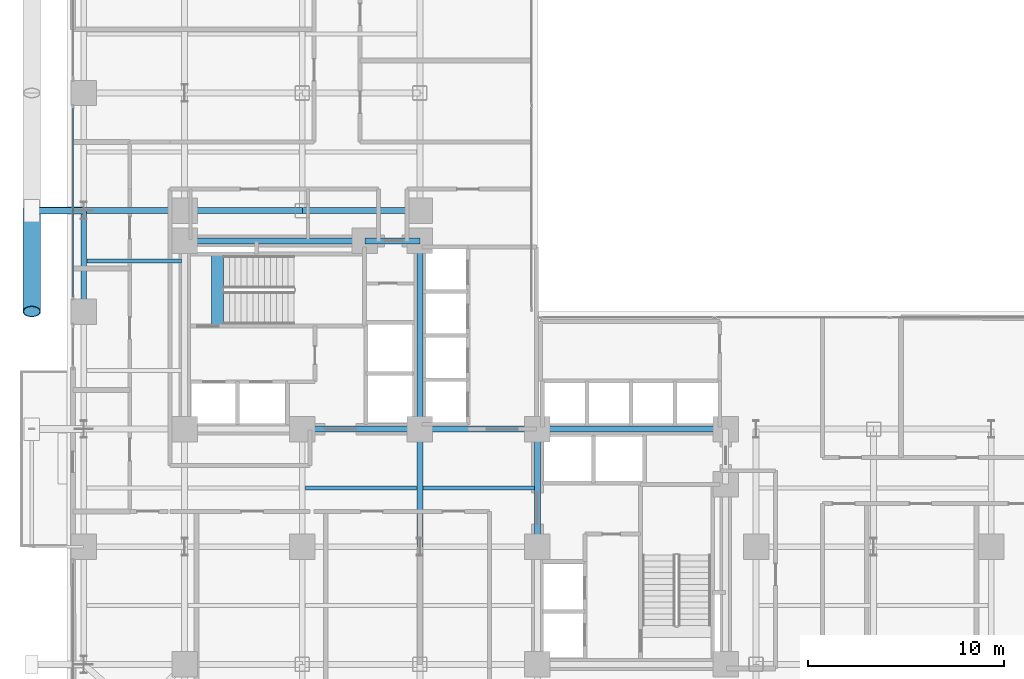
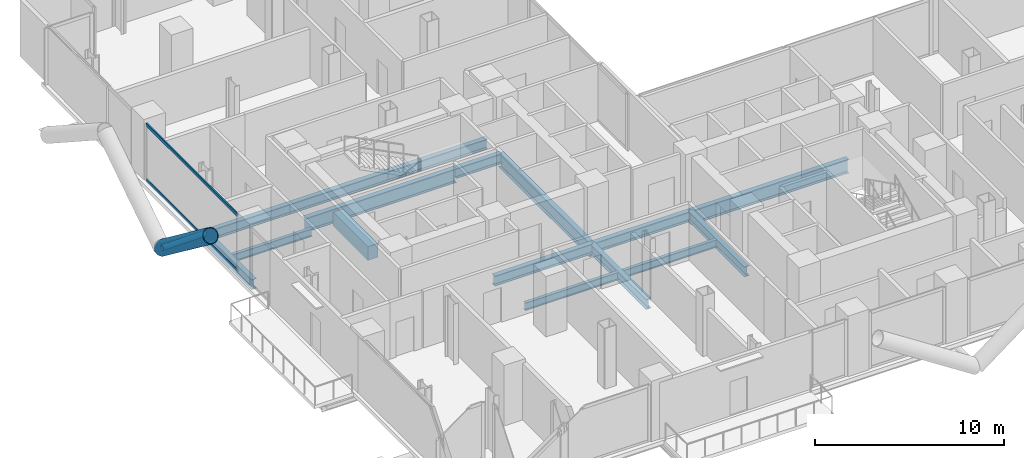
# One storey, part 6 of 25: 16 beams, 4 members, 1 element without a shape of its own.
"""IFC4 building model written with IfcOpenShell, lengths in metres."""

from ifc_helpers import new_model, si_unit, direction, frame, origin, origin_2d, place, context, subcontext, project, spatial, rectangle, hollow_rectangle, hollow_circle, i_section, extrude, material, layer, layer_set, material_profile, profile_set, type_object, element, aggregate, save


model = new_model("IFC4")

# Units and contexts
model_context = context("Model", 3, precision=1e-05, world=origin(), true_north=direction((0.0, 1.0)))
body_context = subcontext(model_context, "Body", "Model", "MODEL_VIEW")
ifc_project = project(units=[si_unit("LENGTHUNIT", "METRE"), si_unit("AREAUNIT", "SQUARE_METRE"), si_unit("VOLUMEUNIT", "CUBIC_METRE"), si_unit("PLANEANGLEUNIT", "RADIAN"), si_unit("MASSUNIT", "GRAM", prefix="KILO"), si_unit("THERMODYNAMICTEMPERATUREUNIT", "KELVIN"), si_unit("POWERUNIT", "WATT")], contexts=[model_context])

# Site, building, storey
site_placement = place(None, origin())
site = spatial("IfcSite", under=ifc_project, at=site_placement, CompositionType="ELEMENT")
building_placement = place(site_placement, origin())
building = spatial("IfcBuilding", under=site, at=building_placement, Name="Svarakhadi Broadcast Tower", CompositionType="ELEMENT")
storey_placement = place(building_placement, frame((0.0, 0.0, 79.199951171875)))
storey = spatial("IfcBuildingStorey", under=building, at=storey_placement, Name="L18", CompositionType="ELEMENT", Elevation=79.199951171875)

# Beams
ifc_material_1 = material(Name="Steel S355J2 (IS 2062 E350C)", Category="steel")
ifc_material_profile_1 = material_profile(ifc_material_1, i_section(OverallWidth=0.199951171875, OverallDepth=0.5, WebThickness=0.01025390625, FlangeThickness=0.01611328125, FilletRadius=0.02099609375, at=origin_2d()), Name="NPB 500x200x91")
ifc_profile_set_1 = profile_set([ifc_material_profile_1], Name="Steel S355J2 (IS 2062 E350C)")
beam_type_1 = type_object("IfcBeamType", Name="Beam_NPB500", PredefinedType="BEAM", material=ifc_profile_set_1)
beam_1_placement = place(storey_placement, frame((1.010009765625, 26.574951171875, -0.5), z_axis=(1.0, 0.0, 0.0), x_axis=(0.0, 1.0, 0.0)))
element("IfcBeam", 1, at=beam_1_placement, inside=storey, type_object=beam_type_1, Name="L18 Secondary Composite Beam SB004", PredefinedType="BEAM", context=body_context, shape_type="SweptSolid", body=[
    extrude(i_section(OverallWidth=0.199951171875, OverallDepth=0.5, WebThickness=0.01025390625, FlangeThickness=0.01611328125, FilletRadius=0.02099609375, at=origin_2d()), origin(), (0.0, 0.0, 1.0), 4.830078125),
])
for number, where, z_axis, x_axis, name in (
    (2, (12.159912109375, 15.0, -0.5), (1.0, 0.0, 0.0), (0.0, 1.0, 0.0), "L18 Secondary Composite Beam SB015"),
    (3, (18.159912109375, 15.0, -0.5), (1.0, 0.0, 0.0), (0.0, 1.0, 0.0), "L18 Secondary Composite Beam SB021"),
):
    element("IfcBeam", number, at=place(storey_placement, frame(where, z_axis=z_axis, x_axis=x_axis)), inside=storey, type_object=beam_type_1, Name=name, PredefinedType="BEAM", context=body_context, shape_type="SweptSolid", body=[
        extrude(i_section(OverallWidth=0.199951171875, OverallDepth=0.5, WebThickness=0.01025390625, FlangeThickness=0.01611328125, FilletRadius=0.02099609375, at=origin_2d()), origin(), (0.0, 0.0, 1.0), 5.68017578125),
    ])

# Curtain wall, members
ifc_material_2 = material(Name="Anodised Bronze Aluminium AA 6063-T6", Category="aluminium")
ifc_layer = layer(ifc_material_2, 0.219970703125)
ifc_layer_set = layer_set([ifc_layer], Name="Anodised Bronze Aluminium AA 6063-T6")
curtain_wall_type = type_object("IfcCurtainWallType", Name="CW_Sys_02", PredefinedType="NOTDEFINED", material=ifc_layer_set)
curtain_wall_placement = place(storey_placement, origin())
curtain_wall = element("IfcCurtainWall", 4, at=curtain_wall_placement, inside=storey, type_object=curtain_wall_type, Name="L18 West Curtain Wall 03 Bay 2", PredefinedType="NOTDEFINED")
ifc_material_profile_2 = material_profile(ifc_material_2, hollow_rectangle(XDim=0.074951171875, YDim=0.199951171875, WallThickness=0.0048828125, at=origin_2d()), Name="ALU TRANSOM 200x75x5")
ifc_profile_set_2 = profile_set([ifc_material_profile_2], Name="Anodised Bronze Aluminium AA 6063-T6")
member_type_1 = type_object("IfcMemberType", Name="CW_Sys_02_Trn", PredefinedType="USERDEFINED", material=ifc_profile_set_2)
member_1_placement = place(storey_placement, frame((0.300048828125, 24.7548828125, 0.03759765625), z_axis=(0.0, 1.0, 0.0), x_axis=(-1.0, 0.0, 0.0)))
member_1 = element("IfcMember", 5, at=member_1_placement, type_object=member_type_1, Name="CW-02 transom 1.1", ObjectType="TRANSOM", PredefinedType="USERDEFINED", context=body_context, shape_type="SweptSolid", body=[
    extrude(hollow_rectangle(XDim=0.074951171875, YDim=0.199951171875, WallThickness=0.0048828125, at=origin_2d()), origin(), (0.0, 0.0, 1.0), 9.64013671875),
])
member_2_placement = place(storey_placement, frame((0.300048828125, 24.7548828125, 3.612548828125), z_axis=(0.0, 1.0, 0.0), x_axis=(-1.0, 0.0, 0.0)))
member_2 = element("IfcMember", 6, at=member_2_placement, type_object=member_type_1, Name="CW-02 transom 1.2", ObjectType="TRANSOM", PredefinedType="USERDEFINED", context=body_context, shape_type="SweptSolid", body=[
    extrude(hollow_rectangle(XDim=0.074951171875, YDim=0.199951171875, WallThickness=0.0048828125, at=origin_2d()), origin(), (0.0, 0.0, 1.0), 9.64013671875),
])
aggregate(curtain_wall, [member_1, member_2])

# Beam
ifc_material_3 = material(Name="Concrete C50/60 (IS 456 M60)", Category="concrete")
ifc_material_profile_3 = material_profile(ifc_material_3, rectangle(XDim=0.60009765625, YDim=0.89990234375, at=origin_2d()), Name="RC 600x900")
ifc_profile_set_3 = profile_set([ifc_material_profile_3], Name="Concrete C50/60 (IS 456 M60)")
beam_type_2 = type_object("IfcBeamType", Name="Coupling_RC600", PredefinedType="USERDEFINED", material=ifc_profile_set_3)
beam_2_placement = place(storey_placement, frame((7.679931640625, 23.260009765625, -0.449951171875), z_axis=(0.0, 1.0, 0.0), x_axis=(-1.0, 0.0, 0.0)))
element("IfcBeam", 7, at=beam_2_placement, inside=storey, type_object=beam_type_2, Name="L18 Stair ST-01 Landing Throat Trimmer Beam CB-01", ObjectType="GIRDER", PredefinedType="USERDEFINED", context=body_context, shape_type="SweptSolid", body=[
    extrude(rectangle(XDim=0.60009765625, YDim=0.89990234375, at=origin_2d()), origin(), (0.0, 0.0, 1.0), 3.679931640625),
])

# Members
ifc_material_4 = material(Name="Steel S460ML (IS 2062 E450BR)", Category="steel")
ifc_material_profile_4 = material_profile(ifc_material_4, hollow_circle(Radius=0.45703125, WallThickness=0.044921875, at=origin_2d()), Name="CHS 914x45")
ifc_profile_set_4 = profile_set([ifc_material_profile_4], Name="Steel S460ML (IS 2062 E450BR)")
member_type_2 = type_object("IfcMemberType", Name="Exo_Brace_CHS914", PredefinedType="BRACE", material=ifc_profile_set_4)
member_3_placement = place(storey_placement, frame((-1.800048828125, 29.14990234375, -0.427734375), z_axis=(0.0, -0.797206791841, 0.603706328476), x_axis=(1.0, 0.0, 0.0)))
element("IfcMember", 8, at=member_3_placement, inside=storey, type_object=member_type_2, Name="L18 Exposed Bronze Exoskeleton Diagonal W05", PredefinedType="BRACE", context=body_context, shape_type="SweptSolid", body=[
    extrude(hollow_circle(Radius=0.45703125, WallThickness=0.044921875, at=origin_2d()), origin(), (0.0, 0.0, 1.0), 6.4599609375),
])
ifc_material_profile_5 = material_profile(ifc_material_4, hollow_circle(Radius=0.177734375, WallThickness=0.02001953125, at=origin_2d()), Name="CHS 355.6x20")
ifc_profile_set_5 = profile_set([ifc_material_profile_5], Name="Steel S460ML (IS 2062 E450BR)")
member_type_3 = type_object("IfcMemberType", Name="Exo_Radial_Strut_Z1", PredefinedType="STRUT", material=ifc_profile_set_5)
member_4_placement = place(storey_placement, frame((-1.800048828125, 29.14990234375, -0.427734375), z_axis=(1.0, 0.0, 0.0), x_axis=(0.0, 1.0, 0.0)))
element("IfcMember", 9, at=member_4_placement, inside=storey, type_object=member_type_3, Name="L18 Exoskeleton Radial Tie Strut W07", PredefinedType="STRUT", context=body_context, shape_type="SweptSolid", body=[
    extrude(hollow_circle(Radius=0.177734375, WallThickness=0.02001953125, at=origin_2d()), origin(), (0.0, 0.0, 1.0), 2.650146484375),
])

# Beams
ifc_material_profile_6 = material_profile(ifc_material_1, i_section(OverallWidth=0.300048828125, OverallDepth=0.64990234375, WebThickness=0.01611328125, FlangeThickness=0.031005859375, FilletRadius=0.027099609375, at=origin_2d()), Name="WPB 650x300x225")
ifc_profile_set_6 = profile_set([ifc_material_profile_6], Name="Steel S355J2 (IS 2062 E350C)")
beam_type_3 = type_object("IfcBeamType", Name="Girder_WPB650", PredefinedType="USERDEFINED", material=ifc_profile_set_6)
for number, where, z_axis, x_axis, name in (
    (10, (12.0, 18.0, -0.574951171875), (1.0, 0.0, 0.0), (0.0, 1.0, 0.0), "L18 Primary E-W Girder G027"),
    (11, (18.0, 18.0, -0.574951171875), (1.0, 0.0, 0.0), (0.0, 1.0, 0.0), "L18 Primary E-W Girder G028"),
):
    element("IfcBeam", number, at=place(storey_placement, frame(where, z_axis=z_axis, x_axis=x_axis)), inside=storey, type_object=beam_type_3, Name=name, ObjectType="GIRDER", PredefinedType="USERDEFINED", context=body_context, shape_type="SweptSolid", body=[
        extrude(i_section(OverallWidth=0.300048828125, OverallDepth=0.64990234375, WebThickness=0.01611328125, FlangeThickness=0.031005859375, FilletRadius=0.027099609375, at=origin_2d()), origin(), (0.0, 0.0, 1.0), 6.0),
    ])
beam_3_placement = place(storey_placement, frame((15.199951171875, 27.60009765625, -0.574951171875), z_axis=(1.0, 0.0, 0.0), x_axis=(0.0, 1.0, 0.0)))
element("IfcBeam", 12, at=beam_3_placement, inside=storey, type_object=beam_type_3, Name="L18 Primary E-W Girder G033", ObjectType="GIRDER", PredefinedType="USERDEFINED", context=body_context, shape_type="SweptSolid", body=[
    extrude(i_section(OverallWidth=0.300048828125, OverallDepth=0.64990234375, WebThickness=0.01611328125, FlangeThickness=0.031005859375, FilletRadius=0.027099609375, at=origin_2d()), origin(), (0.0, 0.0, 1.0), 2.800048828125),
])
beam_4_placement = place(storey_placement, frame((0.85009765625, 29.14990234375, -0.574951171875), z_axis=(1.0, 0.0, 0.0), x_axis=(0.0, 1.0, 0.0)))
element("IfcBeam", 13, at=beam_4_placement, inside=storey, type_object=beam_type_3, Name="L18 Primary E-W Girder G034", ObjectType="GIRDER", PredefinedType="USERDEFINED", context=body_context, shape_type="SweptSolid", body=[
    extrude(i_section(OverallWidth=0.300048828125, OverallDepth=0.64990234375, WebThickness=0.01611328125, FlangeThickness=0.031005859375, FilletRadius=0.027099609375, at=origin_2d()), origin(), (0.0, 0.0, 1.0), 5.14990234375),
])
for number, where, z_axis, x_axis, name in (
    (14, (6.0, 29.14990234375, -0.574951171875), (1.0, 0.0, 0.0), (0.0, 1.0, 0.0), "L18 Primary E-W Girder G035"),
    (15, (12.0, 29.14990234375, -0.574951171875), (1.0, 0.0, 0.0), (0.0, 1.0, 0.0), "L18 Primary E-W Girder G036"),
):
    element("IfcBeam", number, at=place(storey_placement, frame(where, z_axis=z_axis, x_axis=x_axis)), inside=storey, type_object=beam_type_3, Name=name, ObjectType="GIRDER", PredefinedType="USERDEFINED", context=body_context, shape_type="SweptSolid", body=[
        extrude(i_section(OverallWidth=0.300048828125, OverallDepth=0.64990234375, WebThickness=0.01611328125, FlangeThickness=0.031005859375, FilletRadius=0.027099609375, at=origin_2d()), origin(), (0.0, 0.0, 1.0), 6.0),
    ])
beam_5_placement = place(storey_placement, frame((0.85009765625, 24.0, -0.574951171875), z_axis=(0.0, 1.0, 0.0), x_axis=(-1.0, 0.0, 0.0)))
element("IfcBeam", 16, at=beam_5_placement, inside=storey, type_object=beam_type_3, Name="L18 Primary N-S Girder G048", ObjectType="GIRDER", PredefinedType="USERDEFINED", context=body_context, shape_type="SweptSolid", body=[
    extrude(i_section(OverallWidth=0.300048828125, OverallDepth=0.64990234375, WebThickness=0.01611328125, FlangeThickness=0.031005859375, FilletRadius=0.027099609375, at=origin_2d()), origin(), (0.0, 0.0, 1.0), 5.14990234375),
])
for number, where, z_axis, x_axis, name in (
    (17, (18.0, 12.0, -0.574951171875), (0.0, 1.0, 0.0), (-1.0, 0.0, 0.0), "L18 Primary N-S Girder G066"),
    (18, (24.0, 12.0, -0.574951171875), (0.0, 1.0, 0.0), (-1.0, 0.0, 0.0), "L18 Primary N-S Girder G073"),
):
    element("IfcBeam", number, at=place(storey_placement, frame(where, z_axis=z_axis, x_axis=x_axis)), inside=storey, type_object=beam_type_3, Name=name, ObjectType="GIRDER", PredefinedType="USERDEFINED", context=body_context, shape_type="SweptSolid", body=[
        extrude(i_section(OverallWidth=0.300048828125, OverallDepth=0.64990234375, WebThickness=0.01611328125, FlangeThickness=0.031005859375, FilletRadius=0.027099609375, at=origin_2d()), origin(), (0.0, 0.0, 1.0), 6.0),
    ])
ifc_material_profile_7 = material_profile(ifc_material_4, i_section(OverallWidth=0.300048828125, OverallDepth=0.89990234375, WebThickness=0.0185546875, FlangeThickness=0.034912109375, FilletRadius=0.030029296875, at=origin_2d()), Name="WPB 900x300x291")
ifc_profile_set_7 = profile_set([ifc_material_profile_7], Name="Steel S460ML (IS 2062 E450BR)")
beam_type_4 = type_object("IfcBeamType", Name="Girder_WPB900", PredefinedType="USERDEFINED", material=ifc_profile_set_7)
beam_6_placement = place(storey_placement, frame((24.0, 18.0, -0.699951171875), z_axis=(1.0, 0.0, 0.0), x_axis=(0.0, 1.0, 0.0)))
element("IfcBeam", 19, at=beam_6_placement, inside=storey, type_object=beam_type_4, Name="L18 Primary E-W Girder G029", ObjectType="GIRDER", PredefinedType="USERDEFINED", context=body_context, shape_type="SweptSolid", body=[
    extrude(i_section(OverallWidth=0.300048828125, OverallDepth=0.89990234375, WebThickness=0.0185546875, FlangeThickness=0.034912109375, FilletRadius=0.030029296875, at=origin_2d()), origin(), (0.0, 0.0, 1.0), 9.60009765625),
])
beam_7_placement = place(storey_placement, frame((6.0, 27.60009765625, -0.699951171875), z_axis=(1.0, 0.0, 0.0), x_axis=(0.0, 1.0, 0.0)))
element("IfcBeam", 20, at=beam_7_placement, inside=storey, type_object=beam_type_4, Name="L18 Primary E-W Girder G032", ObjectType="GIRDER", PredefinedType="USERDEFINED", context=body_context, shape_type="SweptSolid", body=[
    extrude(i_section(OverallWidth=0.300048828125, OverallDepth=0.89990234375, WebThickness=0.0185546875, FlangeThickness=0.034912109375, FilletRadius=0.030029296875, at=origin_2d()), origin(), (0.0, 0.0, 1.0), 9.199951171875),
])
beam_8_placement = place(storey_placement, frame((18.0, 18.0, -0.699951171875), z_axis=(0.0, 1.0, 0.0), x_axis=(-1.0, 0.0, 0.0)))
element("IfcBeam", 21, at=beam_8_placement, inside=storey, type_object=beam_type_4, Name="L18 Primary N-S Girder G067", ObjectType="GIRDER", PredefinedType="USERDEFINED", context=body_context, shape_type="SweptSolid", body=[
    extrude(i_section(OverallWidth=0.300048828125, OverallDepth=0.89990234375, WebThickness=0.0185546875, FlangeThickness=0.034912109375, FilletRadius=0.030029296875, at=origin_2d()), origin(), (0.0, 0.0, 1.0), 9.60009765625),
])

save(model, "model.ifc")
